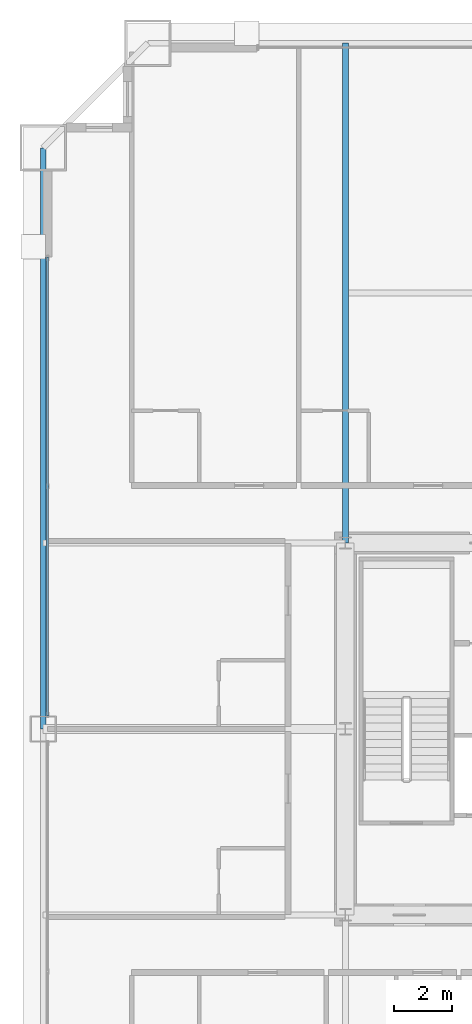
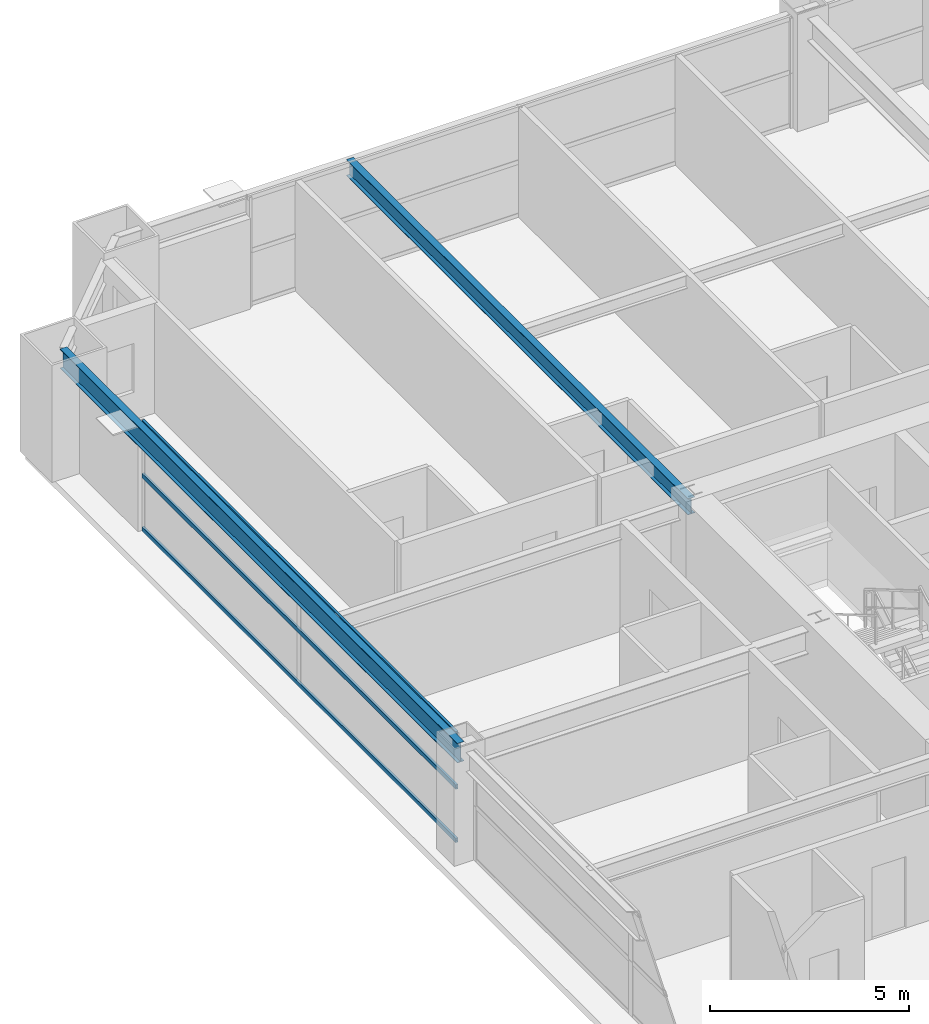
# One storey, part 21 of 38: 3 members, 2 beams, 1 element without a shape of its own.
"""IFC4 building model written with IfcOpenShell, lengths in metres."""

import ifcopenshell
import ifcopenshell.guid

model = None  # the IFC model being written
_history = None  # IfcOwnerHistory: only IFC2X3 demands one
_inside = {}  # id of a spatial element -> (the spatial element, [elements in it])
_under = {}  # id of a project, library or spatial element -> (it, [spatial elements below it])
_declared = {}  # id of a project -> (the project, [libraries it declares])
_typed = {}  # id of a type object -> (the type object, [elements of that type])
_made_of = {}  # id of a material, layer set ... -> (it, [elements and type objects made of it])


def new_model(schema):
    """Start an empty IFC model of exactly this schema.

    Asked for "IFC4X3", IfcOpenShell would pick the latest addendum, in which some entities
    have other attributes; the version numbers below select the first issue.
    IFC2X3 requires an IfcOwnerHistory on every rooted entity: one is made here for all.
    """
    global model, _history
    if schema == "IFC4X3":
        model = ifcopenshell.file(schema_version=(4, 3, 0, 0))
    else:
        model = ifcopenshell.file(schema=schema)
    _inside.clear()
    _under.clear()
    _declared.clear()
    _typed.clear()
    _made_of.clear()
    _history = None
    if model.schema == "IFC2X3":
        org = make("IfcOrganization", Name="unknown")
        user = make(
            "IfcPersonAndOrganization",
            ThePerson=make("IfcPerson", FamilyName="unknown"),
            TheOrganization=org,
        )
        app = make(
            "IfcApplication",
            ApplicationDeveloper=org,
            Version="unknown",
            ApplicationFullName="unknown",
            ApplicationIdentifier="unknown",
        )
        _history = make(
            "IfcOwnerHistory",
            OwningUser=user,
            OwningApplication=app,
            ChangeAction="ADDED",
            CreationDate=0,
        )
    return model


def make(cls, **values):
    """One entity of the class cls with the attributes given. An attribute that is None is left unset."""
    return model.create_entity(
        cls, **{name: value for name, value in values.items() if value is not None}
    )


def rooted(cls, **values):
    """An entity with a GlobalId (a new one), such as an element, a storey or a relation."""
    return make(cls, GlobalId=ifcopenshell.guid.new(), OwnerHistory=_history, **values)


def si_unit(unit_type, name, prefix=None):
    """IfcSIUnit, for example si_unit("LENGTHUNIT", "METRE", prefix="MILLI")."""
    return make("IfcSIUnit", UnitType=unit_type, Prefix=prefix, Name=name)


def assignment(units):
    """IfcUnitAssignment: the units of a project."""
    return None if units is None else make("IfcUnitAssignment", Units=units)


def point(xyz):
    """IfcCartesianPoint."""
    return None if xyz is None else make("IfcCartesianPoint", Coordinates=xyz)


def direction(xyz):
    """IfcDirection."""
    return None if xyz is None else make("IfcDirection", DirectionRatios=xyz)


def frame(location, z_axis=None, x_axis=None):
    """IfcAxis2Placement3D, a coordinate frame: its origin and axes. An axis left out is left unset."""
    return make(
        "IfcAxis2Placement3D",
        Location=point(location),
        Axis=direction(z_axis),
        RefDirection=direction(x_axis),
    )


def frame_2d(location, x_axis=None):
    """IfcAxis2Placement2D, a coordinate frame in the plane: its origin and x axis."""
    return make(
        "IfcAxis2Placement2D", Location=point(location), RefDirection=direction(x_axis)
    )


def origin():
    """The frame at (0, 0, 0) with its axes left unset."""
    return frame((0.0, 0.0, 0.0))


def origin_2d():
    """The frame at (0, 0) in the plane with its x axis left unset."""
    return frame_2d((0.0, 0.0))


def place(relative_to, where):
    """IfcLocalPlacement: puts the frame where relative to a parent placement (None: the world)."""
    return make(
        "IfcLocalPlacement", PlacementRelTo=relative_to, RelativePlacement=where
    )


def context(
    kind, dimensions, precision=None, world=None, true_north=None, identifier=None
):
    """IfcGeometricRepresentationContext, for example the 3D "Model" context."""
    return make(
        "IfcGeometricRepresentationContext",
        ContextIdentifier=identifier,
        ContextType=kind,
        CoordinateSpaceDimension=dimensions,
        Precision=precision,
        WorldCoordinateSystem=world,
        TrueNorth=true_north,
    )


def subcontext(parent, identifier, kind, view, scale=None):
    """IfcGeometricRepresentationSubContext, for example "Body" below "Model"."""
    return make(
        "IfcGeometricRepresentationSubContext",
        ContextIdentifier=identifier,
        ContextType=kind,
        ParentContext=parent,
        TargetScale=scale,
        TargetView=view,
    )


def project(units=None, contexts=None):
    """IfcProject with its units and contexts."""
    return rooted(
        "IfcProject",
        Name="project",
        RepresentationContexts=contexts,
        UnitsInContext=assignment(units),
    )


def spatial(cls, under=None, at=None, **own):
    """A site, building, storey or space (cls), placed at a placement, below another one or the project."""
    s = rooted(cls, ObjectPlacement=at, **own)
    if under is not None:
        _under.setdefault(under.id(), (under, []))[1].append(s)
    return s


def profile(cls, at=None, kind="AREA", **sizes):
    """A parametric profile (cls). Its sizes go by their IFC names, for example OverallWidth=200.0."""
    return make(cls, ProfileType=kind, Position=at, **sizes)


def hollow_rectangle(**sizes):
    """IfcRectangleHollowProfileDef."""
    return profile("IfcRectangleHollowProfileDef", **sizes)


def i_section(**sizes):
    """IfcIShapeProfileDef."""
    return profile("IfcIShapeProfileDef", **sizes)


def extrude(swept, where, along, depth):
    """IfcExtrudedAreaSolid: the profile swept, set in the frame where, extruded along a direction by depth."""
    return make(
        "IfcExtrudedAreaSolid",
        SweptArea=swept,
        Position=where,
        ExtrudedDirection=direction(along),
        Depth=depth,
    )


def shape(context_of_items, identifier, shape_type, items):
    """IfcShapeRepresentation: the items that make up one representation, for example the "Body"."""
    return make(
        "IfcShapeRepresentation",
        ContextOfItems=context_of_items,
        RepresentationIdentifier=identifier,
        RepresentationType=shape_type,
        Items=items,
    )


def source(mapping_origin, context_of_items, identifier, shape_type, items):
    """IfcRepresentationMap: a shape defined once, which mapped items show again and again."""
    return make(
        "IfcRepresentationMap",
        MappingOrigin=mapping_origin,
        MappedRepresentation=shape(context_of_items, identifier, shape_type, items),
    )


def transform(
    local_origin,
    x_axis=None,
    y_axis=None,
    z_axis=None,
    scale=None,
    scale2=None,
    scale3=None,
    uniform=True,
):
    """IfcCartesianTransformationOperator3D, or its non-uniform kind. x_axis, y_axis, z_axis: its Axis1, 2, 3."""
    if uniform:
        return make(
            "IfcCartesianTransformationOperator3D",
            Axis1=direction(x_axis),
            Axis2=direction(y_axis),
            LocalOrigin=point(local_origin),
            Scale=scale,
            Axis3=direction(z_axis),
        )
    return make(
        "IfcCartesianTransformationOperator3DnonUniform",
        Axis1=direction(x_axis),
        Axis2=direction(y_axis),
        LocalOrigin=point(local_origin),
        Scale=scale,
        Axis3=direction(z_axis),
        Scale2=scale2,
        Scale3=scale3,
    )


def mapped(mapping_source, mapping_target):
    """IfcMappedItem: shows the shape of a source again, moved by a transform."""
    return make(
        "IfcMappedItem", MappingSource=mapping_source, MappingTarget=mapping_target
    )


def material(Name=None, Category=None):
    """IfcMaterial."""
    return make("IfcMaterial", Name=Name, Category=Category)


def layer(
    of_material, thickness, ventilated=None, Name=None, Category=None, Priority=None
):
    """IfcMaterialLayer: one layer of a wall or slab, of a material (None: an air gap)."""
    return make(
        "IfcMaterialLayer",
        Material=of_material,
        LayerThickness=thickness,
        IsVentilated=ventilated,
        Name=Name,
        Category=Category,
        Priority=Priority,
    )


def layer_set(layers, Name=None):
    """IfcMaterialLayerSet."""
    return make("IfcMaterialLayerSet", MaterialLayers=layers, LayerSetName=Name)


def material_profile(
    of_material, cross_section, Name=None, Category=None, Priority=None
):
    """IfcMaterialProfile: a cross section and its material."""
    return make(
        "IfcMaterialProfile",
        Name=Name,
        Material=of_material,
        Profile=cross_section,
        Priority=Priority,
        Category=Category,
    )


def profile_set(profiles, Name=None, composite=None):
    """IfcMaterialProfileSet."""
    return make(
        "IfcMaterialProfileSet",
        Name=Name,
        MaterialProfiles=profiles,
        CompositeProfile=composite,
    )


def made_of(thing, what):
    """Note that an element or type object is made of a material, layer set ...; save() writes the relation."""
    if what is not None:
        _made_of.setdefault(what.id(), (what, []))[1].append(thing)
    return thing


def type_object(cls, material=None, **own):
    """A type object (cls), such as IfcWallType, which elements share."""
    return made_of(rooted(cls, **own), material)


def element(
    cls,
    number,
    at=None,
    inside=None,
    cuts=None,
    type_object=None,
    material=None,
    context=None,
    identifier="Body",
    shape_type=None,
    held_by="IfcProductDefinitionShape",
    body=None,
    shapes=None,
    **own,
):
    """One element of the class cls, such as IfcWall. Its Tag is "e" and its number.

    at: its placement. inside: the storey or other place that contains it. cuts: it is an
    opening in that element (IfcRelVoidsElement). A single representation is given by context,
    identifier, shape_type and body (its items); several are given by shapes. held_by: the class
    of the entity that holds the representations. save() writes the other relations.
    """
    e = rooted(cls, Tag="e%d" % number, ObjectPlacement=at, **own)
    if body is not None:
        shapes = [shape(context, identifier, shape_type, body)]
    if shapes is not None:
        e.Representation = make(held_by, Representations=shapes)
    if inside is not None:
        _inside.setdefault(inside.id(), (inside, []))[1].append(e)
    if cuts is not None:
        rooted(
            "IfcRelVoidsElement", RelatingBuildingElement=cuts, RelatedOpeningElement=e
        )
    if type_object is not None:
        _typed.setdefault(type_object.id(), (type_object, []))[1].append(e)
    return made_of(e, material)


def aggregate(whole, parts):
    """IfcRelAggregates: a whole, such as a stair, and the parts it consists of."""
    return rooted("IfcRelAggregates", RelatingObject=whole, RelatedObjects=parts)


def save(model, path):
    """Write the relations noted so far, then the file.

    IfcRelAggregates (storeys below a building ...), IfcRelContainedInSpatialStructure (elements
    in a storey), IfcRelDefinesByType, IfcRelAssociatesMaterial and IfcRelDeclares: one each for
    every whole, place, type object, material and project.
    """
    for whole, parts in _under.values():
        aggregate(whole, parts)
    for where, things in _inside.values():
        rooted(
            "IfcRelContainedInSpatialStructure",
            RelatedElements=things,
            RelatingStructure=where,
        )
    for kind, things in _typed.values():
        rooted("IfcRelDefinesByType", RelatedObjects=things, RelatingType=kind)
    for what, things in _made_of.values():
        rooted("IfcRelAssociatesMaterial", RelatedObjects=things, RelatingMaterial=what)
    for by, libraries in _declared.values():
        rooted("IfcRelDeclares", RelatingContext=by, RelatedDefinitions=libraries)
    model.write(path)


model = new_model("IFC4")

# Units and contexts
model_context = context("Model", 3, precision=1e-05, world=origin(), true_north=direction((0.0, 1.0)))
body_context = subcontext(model_context, "Body", "Model", "MODEL_VIEW")
ifc_project = project(units=[si_unit("LENGTHUNIT", "METRE"), si_unit("AREAUNIT", "SQUARE_METRE"), si_unit("VOLUMEUNIT", "CUBIC_METRE"), si_unit("PLANEANGLEUNIT", "RADIAN"), si_unit("MASSUNIT", "GRAM", prefix="KILO"), si_unit("THERMODYNAMICTEMPERATUREUNIT", "KELVIN"), si_unit("POWERUNIT", "WATT")], contexts=[model_context])

# Site, building, storey
site_placement = place(None, origin())
site = spatial("IfcSite", under=ifc_project, at=site_placement, CompositionType="ELEMENT")
building_placement = place(site_placement, origin())
building = spatial("IfcBuilding", under=site, at=building_placement, Name="Yuzanri Waterfront Tower", CompositionType="ELEMENT")
storey_placement = place(building_placement, frame((0.0, 0.0, 97.39990234375)))
storey = spatial("IfcBuildingStorey", under=building, at=storey_placement, Name="L25", CompositionType="ELEMENT", Elevation=97.39990234375)

# Beams
ifc_material_1 = material(Name="Steel Q355B", Category="steel")
ifc_material_profile_1 = material_profile(ifc_material_1, i_section(OverallWidth=0.199951171875, OverallDepth=0.60009765625, WebThickness=0.010986328125, FlangeThickness=0.01708984375, at=origin_2d()), Name="HN 600x200x11x17")
ifc_profile_set_1 = profile_set([ifc_material_profile_1], Name="Steel Q355B")
beam_type_1 = type_object("IfcBeamType", Name="Perimeter Spandrel Q355B HN 600x200", PredefinedType="SPANDREL", material=ifc_profile_set_1)
shared_shape_1 = source(origin(), body_context, "Body", "SweptSolid", [
    extrude(i_section(OverallWidth=0.199951171875, OverallDepth=0.60009765625, WebThickness=0.010986328125, FlangeThickness=0.01708984375, at=origin_2d()), origin(), (0.0, 0.0, 1.0), 20.0),
])
beam_1_placement = place(storey_placement, frame((13.39990234375, 45.800048828125, 3.080078125), z_axis=(0.0, -1.0, 0.0), x_axis=(1.0, 0.0, 0.0)))
element("IfcBeam", 1, at=beam_1_placement, inside=storey, type_object=beam_type_1, Name="L25 Perimeter Spandrel W3-W2", PredefinedType="SPANDREL", context=body_context, shape_type="MappedRepresentation", body=[
    mapped(shared_shape_1, transform((0.0, 0.0, 0.0), scale=1.0)),
])
ifc_material_2 = material(Name="Steel Q355B", Category="steel")
ifc_material_profile_2 = material_profile(ifc_material_2, i_section(OverallWidth=0.199951171875, OverallDepth=0.5, WebThickness=0.010009765625, FlangeThickness=0.01611328125, at=origin_2d()), Name="HN 500x200x10x16")
ifc_profile_set_2 = profile_set([ifc_material_profile_2], Name="Steel Q355B")
beam_type_2 = type_object("IfcBeamType", Name="Secondary Floor Beam Q355B HN 500x200", PredefinedType="BEAM", material=ifc_profile_set_2)
shared_shape_2 = source(origin(), body_context, "Body", "SweptSolid", [
    extrude(i_section(OverallWidth=0.199951171875, OverallDepth=0.5, WebThickness=0.010009765625, FlangeThickness=0.01611328125, at=origin_2d()), origin(), (0.0, 0.0, 1.0), 17.199951171875),
])
beam_2_placement = place(storey_placement, frame((23.800048828125, 32.199951171875, 3.130126953125), z_axis=(0.0, 1.0, 0.0), x_axis=(-1.0, 0.0, 0.0)))
element("IfcBeam", 2, at=beam_2_placement, inside=storey, type_object=beam_type_2, Name="L25 North-West Core Line Beam", PredefinedType="BEAM", context=body_context, shape_type="MappedRepresentation", body=[
    mapped(shared_shape_2, transform((0.0, 0.0, 0.0), scale=1.0)),
])

# Curtain wall, members
ifc_material_3 = material(Name="Anodized Architectural Bronze", Category="metal")
ifc_layer = layer(ifc_material_3, 0.159912109375)
ifc_layer_set = layer_set([ifc_layer], Name="Anodized Architectural Bronze")
curtain_wall_type = type_object("IfcCurtainWallType", Name="Anodized Bronze Hotel Upper-Tier Solar-Control Unitized Curtain Wall 7800", PredefinedType="NOTDEFINED", material=ifc_layer_set)
curtain_wall_placement = place(storey_placement, origin())
curtain_wall = element("IfcCurtainWall", 3, at=curtain_wall_placement, inside=storey, type_object=curtain_wall_type, Name="L25 Curtain Wall CW-L25-WR", PredefinedType="NOTDEFINED")
ifc_material_4 = material(Name="Anodized Architectural Bronze", Category="metal")
ifc_material_profile_3 = material_profile(ifc_material_4, hollow_rectangle(XDim=0.070068359375, YDim=0.135009765625, WallThickness=0.00341796875, at=origin_2d()), Name="CWT 70x135")
ifc_profile_set_3 = profile_set([ifc_material_profile_3], Name="Anodized Architectural Bronze")
member_type = type_object("IfcMemberType", Name="Anodized Bronze Standard Curtain-Wall Transom 70x135", PredefinedType="USERDEFINED", material=ifc_profile_set_3)
shared_shape_3 = source(origin(), body_context, "Body", "SweptSolid", [
    extrude(hollow_rectangle(XDim=0.070068359375, YDim=0.135009765625, WallThickness=0.00341796875, at=origin_2d()), origin(), (0.0, 0.0, 1.0), 15.800048828125),
])
member_1_placement = place(storey_placement, frame((13.550048828125, 26.25, 0.050048828125), z_axis=(0.0, 1.0, 0.0), x_axis=(-1.0, 0.0, 0.0)))
member_1 = element("IfcMember", 4, at=member_1_placement, type_object=member_type, Name="CW-L25-WR Transom 1", ObjectType="TRANSOM", PredefinedType="USERDEFINED", context=body_context, shape_type="MappedRepresentation", body=[
    mapped(shared_shape_3, transform((0.0, 0.0, 0.0), scale=1.0)),
])
member_2_placement = place(storey_placement, frame((13.550048828125, 26.25, 1.690185546875), z_axis=(0.0, 1.0, 0.0), x_axis=(-1.0, 0.0, 0.0)))
member_2 = element("IfcMember", 5, at=member_2_placement, type_object=member_type, Name="CW-L25-WR Transom 2", ObjectType="TRANSOM", PredefinedType="USERDEFINED", context=body_context, shape_type="MappedRepresentation", body=[
    mapped(shared_shape_3, transform((0.0, 0.0, 0.0), scale=1.0)),
])
member_3_placement = place(storey_placement, frame((13.550048828125, 26.25, 3.330078125), z_axis=(0.0, 1.0, 0.0), x_axis=(-1.0, 0.0, 0.0)))
member_3 = element("IfcMember", 6, at=member_3_placement, type_object=member_type, Name="CW-L25-WR Transom 3", ObjectType="TRANSOM", PredefinedType="USERDEFINED", context=body_context, shape_type="MappedRepresentation", body=[
    mapped(shared_shape_3, transform((0.0, 0.0, 0.0), scale=1.0)),
])
aggregate(curtain_wall, [member_1, member_2, member_3])

save(model, "model.ifc")
